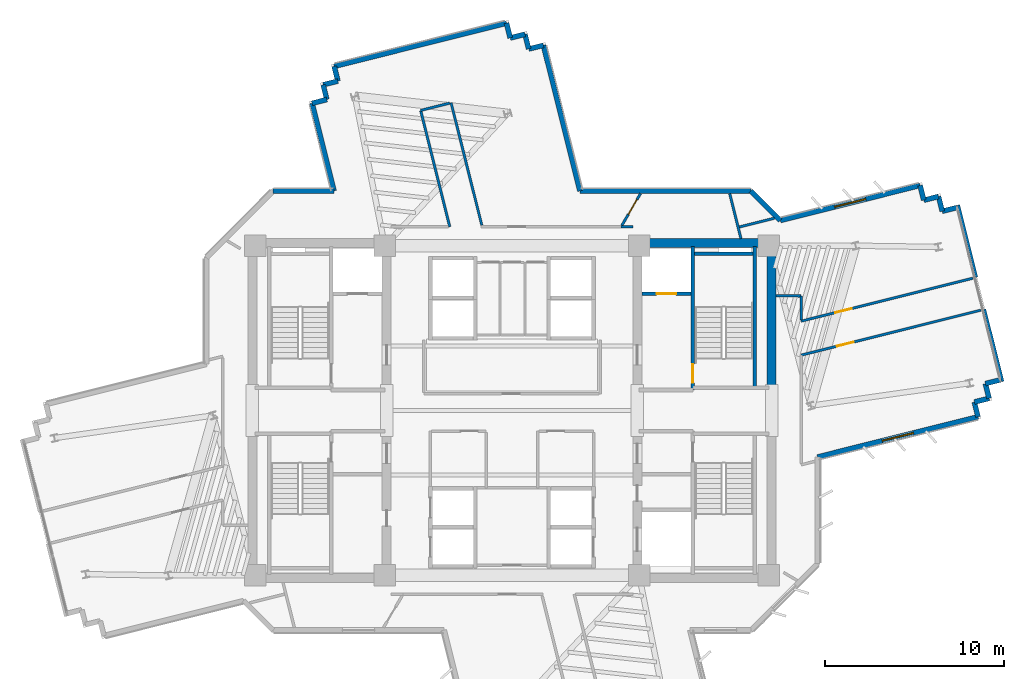
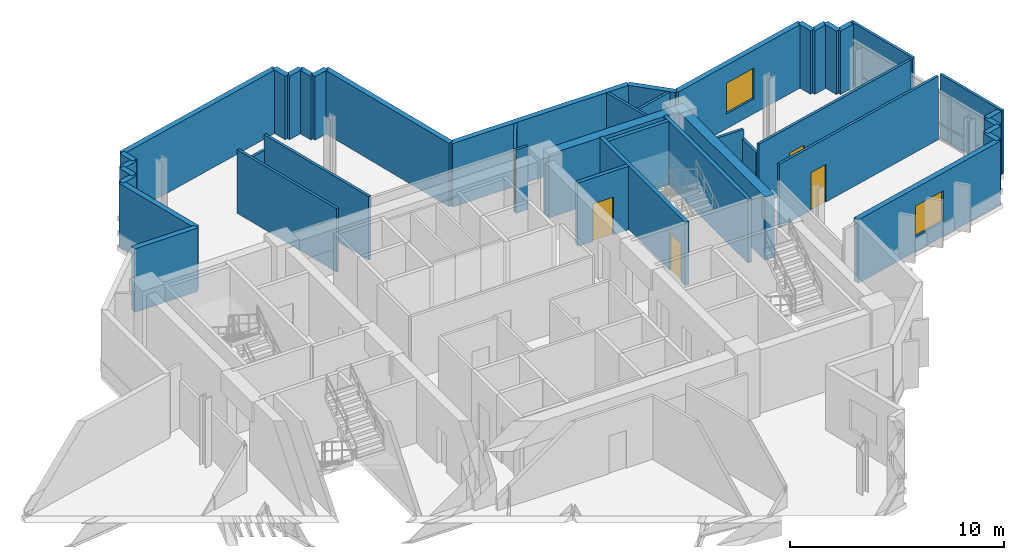
# One storey, part 9 of 13: 43 walls, 5 doors, 2 windows, 7 openings.
"""IFC4 building model written with IfcOpenShell, lengths in metres."""

from ifc_helpers import new_model, si_unit, direction, frame, frame_2d, origin, place, context, subcontext, project, spatial, rectangle, extrude, source, transform, mapped, material, layer, layer_set, type_object, element, fill, save


model = new_model("IFC4")

# Units and contexts
model_context = context("Model", 3, precision=1e-05, world=origin(), true_north=direction((0.0, 1.0)))
body_context = subcontext(model_context, "Body", "Model", "MODEL_VIEW")
ifc_project = project(units=[si_unit("LENGTHUNIT", "METRE"), si_unit("AREAUNIT", "SQUARE_METRE"), si_unit("VOLUMEUNIT", "CUBIC_METRE"), si_unit("PLANEANGLEUNIT", "RADIAN"), si_unit("MASSUNIT", "GRAM", prefix="KILO")], contexts=[model_context])

# Site, building, storey
site_placement = place(None, origin())
site = spatial("IfcSite", under=ifc_project, at=site_placement, CompositionType="ELEMENT")
building_placement = place(site_placement, origin())
building = spatial("IfcBuilding", under=site, at=building_placement, Name="Zahravan Cultural Tower", CompositionType="ELEMENT")
storey_placement = place(building_placement, frame((0.0, 0.0, 186.300048828125)))
storey = spatial("IfcBuildingStorey", under=building, at=storey_placement, Name="L43", CompositionType="ELEMENT", Elevation=186.300048828125)

# Wall, opening, window
ifc_material_1 = material(Name="Precast concrete C40/50", Category="concrete")
ifc_layer_1 = layer(ifc_material_1, 0.280029296875)
ifc_layer_set_1 = layer_set([ifc_layer_1], Name="Precast concrete C40/50")
wall_type_1 = type_object("IfcWallType", Name="EW-TC-280", PredefinedType="SOLIDWALL", material=ifc_layer_set_1)
wall_1_placement = place(storey_placement, frame((50.98388671875, 37.6181640625, 0.0), z_axis=(0.0, 0.0, 1.0), x_axis=(0.970040669564, 0.242942584557, 0.0)))
wall_1 = element("IfcWall", 1, at=wall_1_placement, inside=storey, type_object=wall_type_1, Name="L43 Exterior Masonry Frame Wall 01", PredefinedType="SOLIDWALL", context=body_context, shape_type="SweptSolid", body=[
    extrude(rectangle(XDim=8.04541015625, YDim=0.280029296875, at=frame_2d((4.022705078125, 0.0))), origin(), (0.0, 0.0, 1.0), 3.619873046875),
])
opening_1_placement = place(wall_1_placement, frame((3.123046875, 0.0, 0.85009765625)))
opening_1 = element("IfcOpeningElement", 2, at=opening_1_placement, cuts=wall_1, Name="Opening WN-02", PredefinedType="OPENING", context=body_context, shape_type="SweptSolid", body=[
    extrude(rectangle(XDim=1.800048828125, YDim=1.75, at=frame_2d((0.89990234375, 0.875))), frame((0.0, 0.14990234375, 0.0), z_axis=(0.0, -1.0, 0.0), x_axis=(1.0, 0.0, 0.0)), (0.0, 0.0, 1.0), 0.300048828125),
])
ifc_material_2 = material(Name="Low-E solar-control double glazing", Category="glass")
window_type = type_object("IfcWindowType", Name="WN-REC-1800X1750", PartitioningType="DOUBLE_PANEL_VERTICAL", PredefinedType="WINDOW", material=ifc_material_2)
shared_shape_1 = source(origin(), body_context, "Body", "SweptSolid", [
    extrude(rectangle(XDim=1.800048828125, YDim=1.75, at=frame_2d((0.89990234375, 0.875))), frame((0.0, 0.030029296875, 0.0), z_axis=(0.0, -1.0, 0.0), x_axis=(1.0, 0.0, 0.0)), (0.0, 0.0, 1.0), 0.06005859375),
])
window_1_placement = place(opening_1_placement, origin())
window_1 = element("IfcWindow", 3, at=window_1_placement, inside=storey, type_object=window_type, Name="L43 Recessed Solar Window 01", OverallHeight=1.75, OverallWidth=1.800048828125, PartitioningType="DOUBLE_PANEL_VERTICAL", PredefinedType="WINDOW", context=body_context, shape_type="MappedRepresentation", body=[
    mapped(shared_shape_1, transform((0.0, 0.0, 0.0), x_axis=(1.0, 0.0, 0.0), y_axis=(0.0, 1.0, 0.0), z_axis=(0.0, 0.0, 1.0), scale=1.0)),
])
fill(opening_1, window_1)

wall_2_placement = place(storey_placement, frame((62.024169921875, 26.65185546875, 0.0), z_axis=(0.0, 0.0, 1.0), x_axis=(-0.970044513566, -0.242927235402, 0.0)))
wall_2 = element("IfcWall", 4, at=wall_2_placement, inside=storey, type_object=wall_type_1, Name="L43 Exterior Masonry Frame Wall 10", PredefinedType="SOLIDWALL", context=body_context, shape_type="SweptSolid", body=[
    extrude(rectangle(XDim=9.240966796875, YDim=0.280029296875, at=frame_2d((4.62060546875, 0.0))), origin(), (0.0, 0.0, 1.0), 3.619873046875),
])
opening_2_placement = place(wall_2_placement, frame((3.720947265625, 0.0, 0.85009765625)))
opening_2 = element("IfcOpeningElement", 5, at=opening_2_placement, cuts=wall_2, Name="Opening WN-02", PredefinedType="OPENING", context=body_context, shape_type="SweptSolid", body=[
    extrude(rectangle(XDim=1.800048828125, YDim=1.75, at=frame_2d((0.89990234375, 0.875))), frame((0.0, 0.14990234375, 0.0), z_axis=(0.0, -1.0, 0.0), x_axis=(1.0, 0.0, 0.0)), (0.0, 0.0, 1.0), 0.300048828125),
])
window_2_placement = place(opening_2_placement, origin())
window_2 = element("IfcWindow", 6, at=window_2_placement, inside=storey, type_object=window_type, Name="L43 Recessed Solar Window 02", OverallHeight=1.75, OverallWidth=1.800048828125, PartitioningType="DOUBLE_PANEL_VERTICAL", PredefinedType="WINDOW", context=body_context, shape_type="MappedRepresentation", body=[
    mapped(shared_shape_1, transform((0.0, 0.0, 0.0), x_axis=(1.0, 0.0, 0.0), y_axis=(0.0, 1.0, 0.0), z_axis=(0.0, 0.0, 1.0), scale=1.0)),
])
fill(opening_2, window_2)

# Wall, opening, door
ifc_material_3 = material(Name="Gypsum plasterboard partition")
ifc_layer_2 = layer(ifc_material_3, 0.139892578125)
ifc_layer_set_2 = layer_set([ifc_layer_2], Name="Gypsum plasterboard partition")
wall_type_2 = type_object("IfcWallType", Name="W-PART-140", PredefinedType="PARTITIONING", material=ifc_layer_set_2)
wall_3_placement = place(storey_placement, frame((42.1318359375, 37.3349609375, 0.0), z_axis=(0.0, 0.0, 1.0), x_axis=(0.505011455642, 0.863112640198, 0.0)))
wall_3 = element("IfcWall", 7, at=wall_3_placement, inside=storey, type_object=wall_type_2, Name="L43 Interior Wall 069", PredefinedType="PARTITIONING", context=body_context, shape_type="SweptSolid", body=[
    extrude(rectangle(XDim=2.062255859375, YDim=0.139892578125, at=frame_2d((1.03125, 0.0))), origin(), (0.0, 0.0, 1.0), 3.619873046875),
])
opening_3_placement = place(wall_3_placement, frame((0.722900390625, 0.0, 0.0)))
opening_3 = element("IfcOpeningElement", 8, at=opening_3_placement, cuts=wall_3, Name="Opening D-L43-24", PredefinedType="OPENING", context=body_context, shape_type="SweptSolid", body=[
    extrude(rectangle(XDim=0.949951171875, YDim=2.14990234375, at=frame_2d((0.47509765625, 1.074951171875))), frame((0.0, 0.079833984375, 0.0), z_axis=(0.0, -1.0, 0.0), x_axis=(1.0, 0.0, 0.0)), (0.0, 0.0, 1.0), 0.159912109375),
])
ifc_material_4 = material(Name="Anodised bronze-aluminium mullion", Category="aluminium")
door_type_1 = type_object("IfcDoorType", Name="DR-ROOM-950", OperationType="NOTDEFINED", PredefinedType="DOOR", material=ifc_material_4)
shared_shape_2 = source(origin(), body_context, "Body", "SweptSolid", [
    extrude(rectangle(XDim=0.949951171875, YDim=2.14990234375, at=frame_2d((0.47509765625, 1.074951171875))), frame((0.0, 0.02490234375, 0.0), z_axis=(0.0, -1.0, 0.0), x_axis=(1.0, 0.0, 0.0)), (0.0, 0.0, 1.0), 0.050048828125),
])
door_1_placement = place(opening_3_placement, origin())
door_1 = element("IfcDoor", 9, at=door_1_placement, inside=storey, type_object=door_type_1, Name="L43 Door D-L43-24", OperationType="SINGLE_SWING_RIGHT", OverallHeight=2.14990234375, OverallWidth=0.949951171875, PredefinedType="DOOR", context=body_context, shape_type="MappedRepresentation", body=[
    mapped(shared_shape_2, transform((0.0, 0.0, 0.0), x_axis=(1.0, 0.0, 0.0), y_axis=(0.0, 1.0, 0.0), z_axis=(0.0, 0.0, 1.0), scale=1.0)),
])
fill(opening_3, door_1)

wall_4_placement = place(storey_placement, frame((61.72998046875, 34.39208984375, 0.0), z_axis=(0.0, 0.0, 1.0), x_axis=(-0.970043536382, -0.242931137411, 0.0)))
wall_4 = element("IfcWall", 10, at=wall_4_placement, inside=storey, type_object=wall_type_2, Name="L43 Interior Wall 081", PredefinedType="PARTITIONING", context=body_context, shape_type="SweptSolid", body=[
    extrude(rectangle(XDim=9.8759765625, YDim=0.139892578125, at=frame_2d((4.93798828125, 0.0))), origin(), (0.0, 0.0, 1.0), 3.619873046875),
])
opening_4_placement = place(wall_4_placement, frame((6.962158203125, 0.0, 0.0)))
opening_4 = element("IfcOpeningElement", 11, at=opening_4_placement, cuts=wall_4, Name="Opening D-L43-19", PredefinedType="OPENING", context=body_context, shape_type="SweptSolid", body=[
    extrude(rectangle(XDim=0.949951171875, YDim=2.14990234375, at=frame_2d((0.47509765625, 1.074951171875))), frame((0.0, 0.079833984375, 0.0), z_axis=(0.0, -1.0, 0.0), x_axis=(1.0, 0.0, 0.0)), (0.0, 0.0, 1.0), 0.159912109375),
])
door_2_placement = place(opening_4_placement, origin())
door_2 = element("IfcDoor", 12, at=door_2_placement, inside=storey, type_object=door_type_1, Name="L43 Door D-L43-19", OperationType="SINGLE_SWING_LEFT", OverallHeight=2.14990234375, OverallWidth=0.949951171875, PredefinedType="DOOR", context=body_context, shape_type="MappedRepresentation", body=[
    mapped(shared_shape_2, transform((0.0, 0.0, 0.0), x_axis=(1.0, 0.0, 0.0), y_axis=(0.0, 1.0, 0.0), z_axis=(0.0, 0.0, 1.0), scale=1.0)),
])
fill(opening_4, door_2)

wall_5_placement = place(storey_placement, frame((52.14990234375, 30.09619140625, 0.0), z_axis=(0.0, 0.0, 1.0), x_axis=(0.970040994122, 0.242941288635, 0.0)))
wall_5 = element("IfcWall", 13, at=wall_5_placement, inside=storey, type_object=wall_type_2, Name="L43 Interior Wall 092", PredefinedType="PARTITIONING", context=body_context, shape_type="SweptSolid", body=[
    extrude(rectangle(XDim=10.336669921875, YDim=0.139892578125, at=frame_2d((5.16845703125, 0.0))), origin(), (0.0, 0.0, 1.0), 3.619873046875),
])
opening_5_placement = place(wall_5_placement, frame((2.065185546875, 0.0, 0.0)))
opening_5 = element("IfcOpeningElement", 14, at=opening_5_placement, cuts=wall_5, Name="Opening D-L43-18", PredefinedType="OPENING", context=body_context, shape_type="SweptSolid", body=[
    extrude(rectangle(XDim=0.949951171875, YDim=2.14990234375, at=frame_2d((0.47509765625, 1.074951171875))), frame((0.0, 0.079833984375, 0.0), z_axis=(0.0, -1.0, 0.0), x_axis=(1.0, 0.0, 0.0)), (0.0, 0.0, 1.0), 0.159912109375),
])
door_3_placement = place(opening_5_placement, origin())
door_3 = element("IfcDoor", 15, at=door_3_placement, inside=storey, type_object=door_type_1, Name="L43 Door D-L43-18", OperationType="SINGLE_SWING_RIGHT", OverallHeight=2.14990234375, OverallWidth=0.949951171875, PredefinedType="DOOR", context=body_context, shape_type="MappedRepresentation", body=[
    mapped(shared_shape_2, transform((0.0, 0.0, 0.0), x_axis=(1.0, 0.0, 0.0), y_axis=(0.0, 1.0, 0.0), z_axis=(0.0, 0.0, 1.0), scale=1.0)),
])
fill(opening_5, door_3)

ifc_material_5 = material(Name="Concrete C45/55", Category="concrete")
ifc_layer_3 = layer(ifc_material_5, 0.199951171875)
ifc_layer_set_3 = layer_set([ifc_layer_3], Name="Concrete C45/55")
wall_type_3 = type_object("IfcWallType", Name="W-SHAFT-200", PredefinedType="SOLIDWALL", material=ifc_layer_set_3)
wall_6_placement = place(storey_placement, frame((46.10009765625, 28.14990234375, 0.0), z_axis=(0.0, 0.0, 1.0), x_axis=(0.0, 1.0, 0.0)))
wall_6 = element("IfcWall", 16, at=wall_6_placement, inside=storey, type_object=wall_type_3, Name="L43 Interior Wall 008", PredefinedType="SOLIDWALL", context=body_context, shape_type="SweptSolid", body=[
    extrude(rectangle(XDim=8.0, YDim=0.199951171875, at=frame_2d((4.0, 0.0))), origin(), (0.0, 0.0, 1.0), 3.619873046875),
])
opening_6_placement = place(wall_6_placement, frame((0.39990234375, 0.0, 0.0)))
opening_6 = element("IfcOpeningElement", 17, at=opening_6_placement, cuts=wall_6, Name="Opening D-L43-02", PredefinedType="OPENING", context=body_context, shape_type="SweptSolid", body=[
    extrude(rectangle(XDim=1.050048828125, YDim=2.14990234375, at=frame_2d((0.52490234375, 1.074951171875))), frame((0.0, 0.10986328125, 0.0), z_axis=(0.0, -1.0, 0.0), x_axis=(1.0, 0.0, 0.0)), (0.0, 0.0, 1.0), 0.219970703125),
])
ifc_material_6 = material(Name="Steel ASTM A572 Grade 50", Category="steel")
door_type_2 = type_object("IfcDoorType", Name="DR-STAIR-1050", OperationType="NOTDEFINED", PredefinedType="DOOR", material=ifc_material_6)
shared_shape_3 = source(origin(), body_context, "Body", "SweptSolid", [
    extrude(rectangle(XDim=1.050048828125, YDim=2.14990234375, at=frame_2d((0.52490234375, 1.074951171875))), frame((0.0, 0.02490234375, 0.0), z_axis=(0.0, -1.0, 0.0), x_axis=(1.0, 0.0, 0.0)), (0.0, 0.0, 1.0), 0.050048828125),
])
door_4_placement = place(opening_6_placement, origin())
door_4 = element("IfcDoor", 18, at=door_4_placement, inside=storey, type_object=door_type_2, Name="L43 Door D-L43-02", OperationType="SINGLE_SWING_RIGHT", OverallHeight=2.14990234375, OverallWidth=1.050048828125, PredefinedType="DOOR", context=body_context, shape_type="MappedRepresentation", body=[
    mapped(shared_shape_3, transform((0.0, 0.0, 0.0), x_axis=(1.0, 0.0, 0.0), y_axis=(0.0, 1.0, 0.0), z_axis=(0.0, 0.0, 1.0), scale=1.0)),
])
fill(opening_6, door_4)

wall_7_placement = place(storey_placement, frame((43.25, 33.52001953125, 0.0), z_axis=(0.0, 0.0, 1.0), x_axis=(1.0, 0.0, 0.0)))
wall_7 = element("IfcWall", 19, at=wall_7_placement, inside=storey, type_object=wall_type_3, Name="L43 Interior Wall 022", PredefinedType="SOLIDWALL", context=body_context, shape_type="SweptSolid", body=[
    extrude(rectangle(XDim=2.75, YDim=0.199951171875, at=frame_2d((1.375, 0.0))), origin(), (0.0, 0.0, 1.0), 3.619873046875),
])
opening_7_placement = place(wall_7_placement, frame((0.820068359375, 0.0, 0.0)))
opening_7 = element("IfcOpeningElement", 20, at=opening_7_placement, cuts=wall_7, Name="Opening LD-L43-02", PredefinedType="OPENING", context=body_context, shape_type="SweptSolid", body=[
    extrude(rectangle(XDim=1.10009765625, YDim=2.14990234375, at=frame_2d((0.550048828125, 1.074951171875))), frame((0.0, 0.10986328125, 0.0), z_axis=(0.0, -1.0, 0.0), x_axis=(1.0, 0.0, 0.0)), (0.0, 0.0, 1.0), 0.219970703125),
])
door_type_3 = type_object("IfcDoorType", Name="DR-LIFT-1100", OperationType="DOUBLE_DOOR_SLIDING", PredefinedType="DOOR", material=ifc_material_6)
shared_shape_4 = source(origin(), body_context, "Body", "SweptSolid", [
    extrude(rectangle(XDim=1.10009765625, YDim=2.14990234375, at=frame_2d((0.550048828125, 1.074951171875))), frame((0.0, 0.02490234375, 0.0), z_axis=(0.0, -1.0, 0.0), x_axis=(1.0, 0.0, 0.0)), (0.0, 0.0, 1.0), 0.050048828125),
])
door_5_placement = place(opening_7_placement, origin())
door_5 = element("IfcDoor", 21, at=door_5_placement, inside=storey, type_object=door_type_3, Name="L43 Door LD-L43-02", OperationType="DOUBLE_DOOR_SLIDING", OverallHeight=2.14990234375, OverallWidth=1.10009765625, PredefinedType="DOOR", context=body_context, shape_type="MappedRepresentation", body=[
    mapped(shared_shape_4, transform((0.0, 0.0, 0.0), x_axis=(1.0, 0.0, 0.0), y_axis=(0.0, 1.0, 0.0), z_axis=(0.0, 0.0, 1.0), scale=1.0)),
])
fill(opening_7, door_5)

# Walls
ifc_material_7 = material(Name="Concrete C60/75", Category="concrete")
ifc_layer_4 = layer(ifc_material_7, 0.5)
ifc_layer_set_4 = layer_set([ifc_layer_4], Name="Concrete C60/75")
wall_type_4 = type_object("IfcWallType", Name="CW-SHEAR-500-C60", PredefinedType="SHEAR", material=ifc_layer_set_4)
shared_shape_5 = source(origin(), body_context, "Body", "SweptSolid", [
    extrude(rectangle(XDim=8.550048828125, YDim=0.5, at=frame_2d((4.27490234375, 0.0))), origin(), (0.0, 0.0, 1.0), 3.619873046875),
])
wall_8_placement = place(storey_placement, frame((50.5, 28.050048828125, 0.0), z_axis=(0.0, 0.0, 1.0), x_axis=(0.0, 1.0, 0.0)))
element("IfcWall", 22, at=wall_8_placement, inside=storey, type_object=wall_type_4, Name="L43 Core Shear Wall CW-E-EN-L43", PredefinedType="SHEAR", context=body_context, shape_type="MappedRepresentation", body=[
    mapped(shared_shape_5, transform((0.0, 0.0, 0.0), x_axis=(1.0, 0.0, 0.0), y_axis=(0.0, 1.0, 0.0), z_axis=(0.0, 0.0, 1.0), scale=1.0)),
])
shared_shape_6 = source(origin(), body_context, "Body", "SweptSolid", [
    extrude(rectangle(XDim=7.0, YDim=0.5, at=frame_2d((3.5, 0.0))), origin(), (0.0, 0.0, 1.0), 3.619873046875),
])
wall_9_placement = place(storey_placement, frame((43.25, 36.35009765625, 0.0), z_axis=(0.0, 0.0, 1.0), x_axis=(1.0, 0.0, 0.0)))
element("IfcWall", 23, at=wall_9_placement, inside=storey, type_object=wall_type_4, Name="L43 Core Shear Wall CW-E-N-L43", PredefinedType="SHEAR", context=body_context, shape_type="MappedRepresentation", body=[
    mapped(shared_shape_6, transform((0.0, 0.0, 0.0), x_axis=(1.0, 0.0, 0.0), y_axis=(0.0, 1.0, 0.0), z_axis=(0.0, 0.0, 1.0), scale=1.0)),
])
shared_shape_7 = source(origin(), body_context, "Body", "SweptSolid", [
    extrude(rectangle(XDim=0.85009765625, YDim=0.280029296875, at=frame_2d((0.425048828125, 0.0))), origin(), (0.0, 0.0, 1.0), 3.619873046875),
])
for number, where, z_axis, x_axis, name in (
    (24, (59.8193359375, 38.954833984375, 0.0), (0.0, 0.0, 1.0), (0.242941012307, -0.970041063326, 0.0), "L43 Exterior Masonry Frame Wall 04"),
    (25, (62.642333984375, 27.682861328125, 0.0), (0.0, 0.0, 1.0), (-0.970041063326, -0.242941012307, 0.0), "L43 Exterior Masonry Frame Wall 08"),
    (26, (24.836181640625, 44.162109375, 0.0), (0.0, 0.0, 1.0), (0.970108704339, 0.242670768255, 0.0), "L43 Exterior Masonry Frame Wall 41"),
    (27, (25.660888671875, 44.368408203125, 0.0), (0.0, 0.0, 1.0), (-0.242941012307, 0.970041063326, 0.0), "L43 Exterior Masonry Frame Wall 42"),
    (28, (35.901611328125, 47.8095703125, 0.0), (0.0, 0.0, 1.0), (0.970041063326, 0.242941012307, 0.0), "L43 Exterior Masonry Frame Wall 47"),
    (29, (36.726318359375, 48.01611328125, 0.0), (0.0, 0.0, 1.0), (0.242670768255, -0.970108704339, 0.0), "L43 Exterior Masonry Frame Wall 48"),
):
    element("IfcWall", number, at=place(storey_placement, frame(where, z_axis=z_axis, x_axis=x_axis)), inside=storey, type_object=wall_type_1, Name=name, PredefinedType="SOLIDWALL", context=body_context, shape_type="MappedRepresentation", body=[
        mapped(shared_shape_7, transform((0.0, 0.0, 0.0), x_axis=(1.0, 0.0, 0.0), y_axis=(0.0, 1.0, 0.0), z_axis=(0.0, 0.0, 1.0), scale=1.0)),
    ])
shared_shape_8 = source(origin(), body_context, "Body", "SweptSolid", [
    extrude(rectangle(XDim=0.849853515625, YDim=0.280029296875, at=frame_2d((0.4248046875, 0.0))), origin(), (0.0, 0.0, 1.0), 3.619873046875),
])
for number, where, z_axis, x_axis, name in (
    (30, (58.788330078125, 39.57275390625, 0.0), (0.0, 0.0, 1.0), (0.243008704507, -0.970024107708, 0.0), "L43 Exterior Masonry Frame Wall 02"),
    (31, (58.994873046875, 38.748291015625, 0.0), (0.0, 0.0, 1.0), (0.970024107708, 0.243008704507, 0.0), "L43 Exterior Masonry Frame Wall 03"),
    (32, (60.02587890625, 38.130126953125, 0.0), (0.0, 0.0, 1.0), (0.970024107708, 0.243008704507, 0.0), "L43 Exterior Masonry Frame Wall 05"),
    (33, (63.26025390625, 28.7138671875, 0.0), (0.0, 0.0, 1.0), (-0.970024107708, -0.243008704507, 0.0), "L43 Exterior Masonry Frame Wall 06"),
    (34, (62.435791015625, 28.50732421875, 0.0), (0.0, 0.0, 1.0), (0.243008704507, -0.970024107708, 0.0), "L43 Exterior Masonry Frame Wall 07"),
    (35, (61.817626953125, 27.476318359375, 0.0), (0.0, 0.0, 1.0), (0.243008704507, -0.970024107708, 0.0), "L43 Exterior Masonry Frame Wall 09"),
    (36, (25.454345703125, 45.193115234375, 0.0), (0.0, 0.0, 1.0), (0.970024107708, 0.243008704507, 0.0), "L43 Exterior Masonry Frame Wall 43"),
    (37, (26.27880859375, 45.399658203125, 0.0), (0.0, 0.0, 1.0), (-0.243008704507, 0.970024107708, 0.0), "L43 Exterior Masonry Frame Wall 44"),
    (38, (35.695068359375, 48.634033203125, 0.0), (0.0, 0.0, 1.0), (0.243008704507, -0.970024107708, 0.0), "L43 Exterior Masonry Frame Wall 46"),
    (39, (36.9326171875, 47.19140625, 0.0), (0.0, 0.0, 1.0), (0.970024107708, 0.243008704507, 0.0), "L43 Exterior Masonry Frame Wall 49"),
):
    element("IfcWall", number, at=place(storey_placement, frame(where, z_axis=z_axis, x_axis=x_axis)), inside=storey, type_object=wall_type_1, Name=name, PredefinedType="SOLIDWALL", context=body_context, shape_type="MappedRepresentation", body=[
        mapped(shared_shape_8, transform((0.0, 0.0, 0.0), x_axis=(1.0, 0.0, 0.0), y_axis=(0.0, 1.0, 0.0), z_axis=(0.0, 0.0, 1.0), scale=1.0)),
    ])
shared_shape_9 = source(origin(), body_context, "Body", "SweptSolid", [
    extrude(rectangle(XDim=9.919921875, YDim=0.280029296875, at=frame_2d((4.9599609375, 0.0))), origin(), (0.0, 0.0, 1.0), 3.619873046875),
])
wall_10_placement = place(storey_placement, frame((26.072265625, 46.22412109375, 0.0), z_axis=(0.0, 0.0, 1.0), x_axis=(0.97004252616, 0.242935171273, 0.0)))
element("IfcWall", 40, at=wall_10_placement, inside=storey, type_object=wall_type_1, Name="L43 Exterior Masonry Frame Wall 45", PredefinedType="SOLIDWALL", context=body_context, shape_type="MappedRepresentation", body=[
    mapped(shared_shape_9, transform((0.0, 0.0, 0.0), x_axis=(1.0, 0.0, 0.0), y_axis=(0.0, 1.0, 0.0), z_axis=(0.0, 0.0, 1.0), scale=1.0)),
])
shared_shape_10 = source(origin(), body_context, "Body", "SweptSolid", [
    extrude(rectangle(XDim=2.322021484375, YDim=0.280029296875, at=frame_2d((1.1611328125, 0.0))), origin(), (0.0, 0.0, 1.0), 3.619873046875),
])
wall_11_placement = place(storey_placement, frame((49.342041015625, 39.260009765625, 0.0), z_axis=(0.0, 0.0, 1.0), x_axis=(0.707106781187, -0.707106781187, 0.0)))
element("IfcWall", 41, at=wall_11_placement, inside=storey, type_object=wall_type_1, Name="L43 Exterior Masonry Frame Wall 52", PredefinedType="SOLIDWALL", context=body_context, shape_type="MappedRepresentation", body=[
    mapped(shared_shape_10, transform((0.0, 0.0, 0.0), x_axis=(1.0, 0.0, 0.0), y_axis=(0.0, 1.0, 0.0), z_axis=(0.0, 0.0, 1.0), scale=1.0)),
])
shared_shape_11 = source(origin(), body_context, "Body", "SweptSolid", [
    extrude(rectangle(XDim=3.406005859375, YDim=0.280029296875, at=frame_2d((1.703125, 0.0))), origin(), (0.0, 0.0, 1.0), 3.619873046875),
])
wall_12_placement = place(storey_placement, frame((22.657958984375, 39.260009765625, 0.0), z_axis=(0.0, 0.0, 1.0), x_axis=(1.0, 0.0, 0.0)))
element("IfcWall", 42, at=wall_12_placement, inside=storey, type_object=wall_type_1, Name="L43 Exterior Masonry Frame Wall 39", PredefinedType="SOLIDWALL", context=body_context, shape_type="MappedRepresentation", body=[
    mapped(shared_shape_11, transform((0.0, 0.0, 0.0), x_axis=(1.0, 0.0, 0.0), y_axis=(0.0, 1.0, 0.0), z_axis=(0.0, 0.0, 1.0), scale=1.0)),
])
shared_shape_12 = source(origin(), body_context, "Body", "SweptSolid", [
    extrude(rectangle(XDim=5.053466796875, YDim=0.280029296875, at=frame_2d((2.52685546875, 0.0))), origin(), (0.0, 0.0, 1.0), 3.619873046875),
])
wall_13_placement = place(storey_placement, frame((26.06396484375, 39.260009765625, 0.0), z_axis=(0.0, 0.0, 1.0), x_axis=(-0.242956192426, 0.97003726143, 0.0)))
element("IfcWall", 43, at=wall_13_placement, inside=storey, type_object=wall_type_1, Name="L43 Exterior Masonry Frame Wall 40", PredefinedType="SOLIDWALL", context=body_context, shape_type="MappedRepresentation", body=[
    mapped(shared_shape_12, transform((0.0, 0.0, 0.0), x_axis=(1.0, 0.0, 0.0), y_axis=(0.0, 1.0, 0.0), z_axis=(0.0, 0.0, 1.0), scale=1.0)),
])
shared_shape_13 = source(origin(), body_context, "Body", "SweptSolid", [
    extrude(rectangle(XDim=8.38916015625, YDim=0.280029296875, at=frame_2d((4.194580078125, 0.0))), origin(), (0.0, 0.0, 1.0), 3.619873046875),
])
wall_14_placement = place(storey_placement, frame((37.757080078125, 47.39794921875, 0.0), z_axis=(0.0, 0.0, 1.0), x_axis=(0.242939601766, -0.970041416587, 0.0)))
element("IfcWall", 44, at=wall_14_placement, inside=storey, type_object=wall_type_1, Name="L43 Exterior Masonry Frame Wall 50", PredefinedType="SOLIDWALL", context=body_context, shape_type="MappedRepresentation", body=[
    mapped(shared_shape_13, transform((0.0, 0.0, 0.0), x_axis=(1.0, 0.0, 0.0), y_axis=(0.0, 1.0, 0.0), z_axis=(0.0, 0.0, 1.0), scale=1.0)),
])
shared_shape_14 = source(origin(), body_context, "Body", "SweptSolid", [
    extrude(rectangle(XDim=9.546875, YDim=0.280029296875, at=frame_2d((4.7734375, 0.0))), origin(), (0.0, 0.0, 1.0), 3.619873046875),
])
wall_15_placement = place(storey_placement, frame((39.795166015625, 39.260009765625, 0.0), z_axis=(0.0, 0.0, 1.0), x_axis=(1.0, 0.0, 0.0)))
element("IfcWall", 45, at=wall_15_placement, inside=storey, type_object=wall_type_1, Name="L43 Exterior Masonry Frame Wall 51", PredefinedType="SOLIDWALL", context=body_context, shape_type="MappedRepresentation", body=[
    mapped(shared_shape_14, transform((0.0, 0.0, 0.0), x_axis=(1.0, 0.0, 0.0), y_axis=(0.0, 1.0, 0.0), z_axis=(0.0, 0.0, 1.0), scale=1.0)),
])
shared_shape_15 = source(origin(), body_context, "Body", "SweptSolid", [
    extrude(rectangle(XDim=7.869873046875, YDim=0.199951171875, at=frame_2d((3.93505859375, 0.0))), origin(), (0.0, 0.0, 1.0), 3.619873046875),
])
wall_16_placement = place(storey_placement, frame((49.550048828125, 28.280029296875, 0.0), z_axis=(0.0, 0.0, 1.0), x_axis=(0.0, 1.0, 0.0)))
element("IfcWall", 46, at=wall_16_placement, inside=storey, type_object=wall_type_3, Name="L43 Interior Wall 004", PredefinedType="SOLIDWALL", context=body_context, shape_type="MappedRepresentation", body=[
    mapped(shared_shape_15, transform((0.0, 0.0, 0.0), x_axis=(1.0, 0.0, 0.0), y_axis=(0.0, 1.0, 0.0), z_axis=(0.0, 0.0, 1.0), scale=1.0)),
])
shared_shape_16 = source(origin(), body_context, "Body", "SweptSolid", [
    extrude(rectangle(XDim=3.25, YDim=0.199951171875, at=frame_2d((1.625, 0.0))), origin(), (0.0, 0.0, 1.0), 3.619873046875),
])
wall_17_placement = place(storey_placement, frame((46.199951171875, 35.75, 0.0), z_axis=(0.0, 0.0, 1.0), x_axis=(1.0, 0.0, 0.0)))
element("IfcWall", 47, at=wall_17_placement, inside=storey, type_object=wall_type_3, Name="L43 Interior Wall 018", PredefinedType="SOLIDWALL", context=body_context, shape_type="MappedRepresentation", body=[
    mapped(shared_shape_16, transform((0.0, 0.0, 0.0), x_axis=(1.0, 0.0, 0.0), y_axis=(0.0, 1.0, 0.0), z_axis=(0.0, 0.0, 1.0), scale=1.0)),
])
shared_shape_17 = source(origin(), body_context, "Body", "SweptSolid", [
    extrude(rectangle(XDim=4.16015625, YDim=0.139892578125, at=frame_2d((2.080078125, 0.0))), origin(), (0.0, 0.0, 1.0), 3.619873046875),
])
for number, where, z_axis, x_axis, name in (
    (48, (60.9375, 38.482421875, 0.0), (0.0, 0.0, 1.0), (0.242963670411, -0.970035388458, 0.0), "L43 Interior Wall 080"),
    (49, (62.395263671875, 32.662109375, 0.0), (0.0, 0.0, 1.0), (0.242963670411, -0.970035388458, 0.0), "L43 Interior Wall 089"),
):
    element("IfcWall", number, at=place(storey_placement, frame(where, z_axis=z_axis, x_axis=x_axis)), inside=storey, type_object=wall_type_2, Name=name, PredefinedType="PARTITIONING", context=body_context, shape_type="MappedRepresentation", body=[
        mapped(shared_shape_17, transform((0.0, 0.0, 0.0), x_axis=(1.0, 0.0, 0.0), y_axis=(0.0, 1.0, 0.0), z_axis=(0.0, 0.0, 1.0), scale=1.0)),
    ])
shared_shape_18 = source(origin(), body_context, "Body", "SweptSolid", [
    extrude(rectangle(XDim=1.39404296875, YDim=0.139892578125, at=frame_2d((0.697021484375, 0.0))), origin(), (0.0, 0.0, 1.0), 3.619873046875),
])
wall_18_placement = place(storey_placement, frame((52.14892578125, 33.39892578125, 0.0), z_axis=(0.0, 0.0, 1.0), x_axis=(-0.999999754632, 0.000700525222, 0.0)))
element("IfcWall", 50, at=wall_18_placement, inside=storey, type_object=wall_type_2, Name="L43 Interior Wall 083", PredefinedType="PARTITIONING", context=body_context, shape_type="MappedRepresentation", body=[
    mapped(shared_shape_18, transform((0.0, 0.0, 0.0), x_axis=(1.0, 0.0, 0.0), y_axis=(0.0, 1.0, 0.0), z_axis=(0.0, 0.0, 1.0), scale=1.0)),
])
shared_shape_19 = source(origin(), body_context, "Body", "SweptSolid", [
    extrude(rectangle(XDim=0.65966796875, YDim=0.139892578125, at=frame_2d((0.329833984375, 0.0))), origin(), (0.0, 0.0, 1.0), 3.619873046875),
])
wall_19_placement = place(storey_placement, frame((42.74755859375, 37.25927734375, 0.0), z_axis=(0.0, 0.0, 1.0), x_axis=(-0.99999938363, 0.001110287991, 0.0)))
element("IfcWall", 51, at=wall_19_placement, inside=storey, type_object=wall_type_2, Name="L43 Interior Wall 068", PredefinedType="PARTITIONING", context=body_context, shape_type="MappedRepresentation", body=[
    mapped(shared_shape_19, transform((0.0, 0.0, 0.0), x_axis=(1.0, 0.0, 0.0), y_axis=(0.0, 1.0, 0.0), z_axis=(0.0, 0.0, 1.0), scale=1.0)),
])
shared_shape_20 = source(origin(), body_context, "Body", "SweptSolid", [
    extrude(rectangle(XDim=2.587646484375, YDim=0.139892578125, at=frame_2d((1.2939453125, 0.0))), origin(), (0.0, 0.0, 1.0), 3.619873046875),
])
wall_20_placement = place(storey_placement, frame((48.156982421875, 39.114990234375, 0.0), z_axis=(0.0, 0.0, 1.0), x_axis=(0.242957412811, -0.97003695577, 0.0)))
element("IfcWall", 52, at=wall_20_placement, inside=storey, type_object=wall_type_2, Name="L43 Interior Wall 070", PredefinedType="PARTITIONING", context=body_context, shape_type="MappedRepresentation", body=[
    mapped(shared_shape_20, transform((0.0, 0.0, 0.0), x_axis=(1.0, 0.0, 0.0), y_axis=(0.0, 1.0, 0.0), z_axis=(0.0, 0.0, 1.0), scale=1.0)),
])
shared_shape_21 = source(origin(), body_context, "Body", "SweptSolid", [
    extrude(rectangle(XDim=2.014404296875, YDim=0.139892578125, at=frame_2d((1.00732421875, 0.0))), origin(), (0.0, 0.0, 1.0), 3.619873046875),
])
wall_21_placement = place(storey_placement, frame((48.70068359375, 37.252685546875, 0.0), z_axis=(0.0, 0.0, 1.0), x_axis=(0.970056889313, 0.242877811867, 0.0)))
element("IfcWall", 53, at=wall_21_placement, inside=storey, type_object=wall_type_2, Name="L43 Interior Wall 079", PredefinedType="PARTITIONING", context=body_context, shape_type="MappedRepresentation", body=[
    mapped(shared_shape_21, transform((0.0, 0.0, 0.0), x_axis=(1.0, 0.0, 0.0), y_axis=(0.0, 1.0, 0.0), z_axis=(0.0, 0.0, 1.0), scale=1.0)),
])
shared_shape_22 = source(origin(), body_context, "Body", "SweptSolid", [
    extrude(rectangle(XDim=1.32861328125, YDim=0.139892578125, at=frame_2d((0.664306640625, 0.0))), origin(), (0.0, 0.0, 1.0), 3.078857421875),
])
wall_22_placement = place(storey_placement, frame((52.14990234375, 32.0703125, 0.0), z_axis=(0.0, 0.0, 1.0), x_axis=(-0.00073502369, 0.99999972987, 0.0)))
element("IfcWall", 54, at=wall_22_placement, inside=storey, type_object=wall_type_2, Name="L43 Interior Wall 082", PredefinedType="PARTITIONING", context=body_context, shape_type="MappedRepresentation", body=[
    mapped(shared_shape_22, transform((0.0, 0.0, 0.0), x_axis=(1.0, 0.0, 0.0), y_axis=(0.0, 1.0, 0.0), z_axis=(0.0, 0.0, 1.0), scale=1.0)),
])
shared_shape_23 = source(origin(), body_context, "Body", "SweptSolid", [
    extrude(rectangle(XDim=7.04296875, YDim=0.139892578125, at=frame_2d((3.521484375, 0.0))), origin(), (0.0, 0.0, 1.0), 3.619873046875),
])
wall_23_placement = place(storey_placement, frame((34.3134765625, 37.3564453125, 0.0), z_axis=(0.0, 0.0, 1.0), x_axis=(-0.243587652837, 0.969878886968, 0.0)))
element("IfcWall", 55, at=wall_23_placement, inside=storey, type_object=wall_type_2, Name="L43 Interior Wall 098", PredefinedType="PARTITIONING", context=body_context, shape_type="MappedRepresentation", body=[
    mapped(shared_shape_23, transform((0.0, 0.0, 0.0), x_axis=(1.0, 0.0, 0.0), y_axis=(0.0, 1.0, 0.0), z_axis=(0.0, 0.0, 1.0), scale=1.0)),
])
shared_shape_24 = source(origin(), body_context, "Body", "SweptSolid", [
    extrude(rectangle(XDim=1.677734375, YDim=0.139892578125, at=frame_2d((0.8388671875, 0.0))), origin(), (0.0, 0.0, 1.0), 2.761962890625),
])
wall_24_placement = place(storey_placement, frame((32.525146484375, 44.1689453125, 0.0), z_axis=(0.0, 0.0, 1.0), x_axis=(-0.969876563393, -0.243596904294, 0.0)))
element("IfcWall", 56, at=wall_24_placement, inside=storey, type_object=wall_type_2, Name="L43 Interior Wall 099", PredefinedType="PARTITIONING", context=body_context, shape_type="MappedRepresentation", body=[
    mapped(shared_shape_24, transform((0.0, 0.0, 0.0), x_axis=(1.0, 0.0, 0.0), y_axis=(0.0, 1.0, 0.0), z_axis=(0.0, 0.0, 1.0), scale=1.0)),
])
shared_shape_25 = source(origin(), body_context, "Body", "SweptSolid", [
    extrude(rectangle(XDim=6.6806640625, YDim=0.139892578125, at=frame_2d((3.34033203125, 0.0))), origin(), (0.0, 0.0, 1.0), 3.619873046875),
])
wall_25_placement = place(storey_placement, frame((30.90283203125, 43.7412109375, 0.0), z_axis=(0.0, 0.0, 1.0), x_axis=(0.242544223675, -0.970140350445, 0.0)))
element("IfcWall", 57, at=wall_25_placement, inside=storey, type_object=wall_type_2, Name="L43 Interior Wall 100", PredefinedType="PARTITIONING", context=body_context, shape_type="MappedRepresentation", body=[
    mapped(shared_shape_25, transform((0.0, 0.0, 0.0), x_axis=(1.0, 0.0, 0.0), y_axis=(0.0, 1.0, 0.0), z_axis=(0.0, 0.0, 1.0), scale=1.0)),
])

save(model, "model.ifc")
